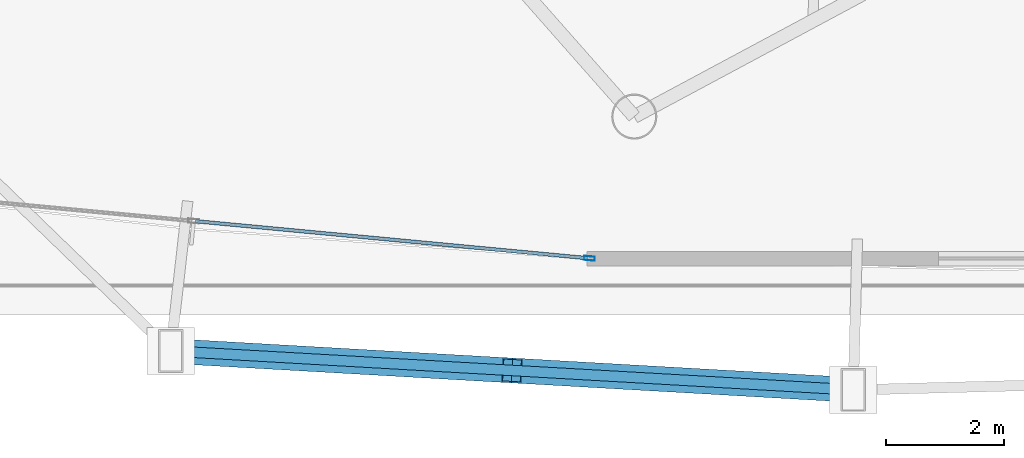
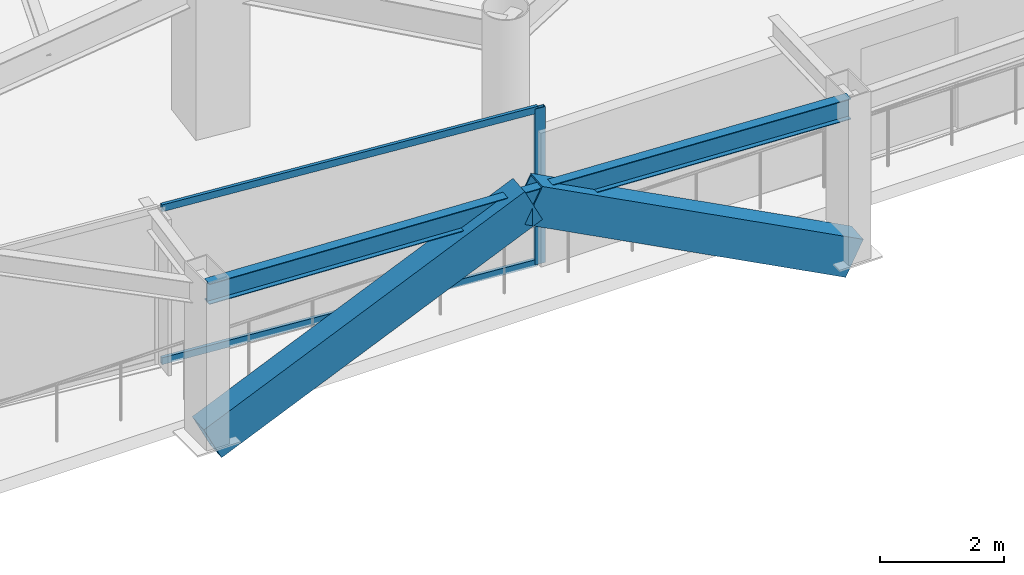
# One storey, part 6 of 36: 5 members, 1 beam, 1 element without a shape of its own.
"""IFC4 building model written with IfcOpenShell, lengths in metres."""

from ifc_helpers import new_model, si_unit, direction, frame, origin, origin_2d, place, context, subcontext, project, spatial, hollow_rectangle, i_section, extrude, material, layer, layer_set, material_profile, profile_set, type_object, element, aggregate, save


model = new_model("IFC4")

# Units and contexts
model_context = context("Model", 3, precision=1e-05, world=origin(), true_north=direction((0.0, 1.0)))
body_context = subcontext(model_context, "Body", "Model", "MODEL_VIEW")
ifc_project = project(units=[si_unit("LENGTHUNIT", "METRE"), si_unit("AREAUNIT", "SQUARE_METRE"), si_unit("VOLUMEUNIT", "CUBIC_METRE"), si_unit("PLANEANGLEUNIT", "RADIAN"), si_unit("MASSUNIT", "GRAM", prefix="KILO")], contexts=[model_context])

# Site, building, storey
site_placement = place(None, origin())
site = spatial("IfcSite", under=ifc_project, at=site_placement, CompositionType="ELEMENT")
building_placement = place(site_placement, origin())
building = spatial("IfcBuilding", under=site, at=building_placement, Name="Orvanel Arch Residences", CompositionType="ELEMENT")
storey_placement = place(building_placement, frame((0.0, 0.0, 23.60009765625)))
storey = spatial("IfcBuildingStorey", under=building, at=storey_placement, Name="L05", CompositionType="ELEMENT", Elevation=23.60009765625)

# Members
ifc_material_1 = material(Name="Structural steel AS/NZS 3678 Grade 350", Category="steel")
ifc_material_profile_1 = material_profile(ifc_material_1, hollow_rectangle(XDim=0.419921875, YDim=0.719970703125, WallThickness=0.02490234375, at=origin_2d()), Name="RHS720x420x25")
ifc_profile_set_1 = profile_set([ifc_material_profile_1], Name="Structural steel AS/NZS 3678 Grade 350")
member_type_1 = type_object("IfcMemberType", Name="BR-720RHS-EXT", PredefinedType="BRACE", material=ifc_profile_set_1)
member_1_placement = place(storey_placement, frame((19.125, -0.35595703125, 0.0), z_axis=(0.894905766054, -0.051068197978, 0.443323481262), x_axis=(0.056972757958, 0.998375733304, 0.0)))
element("IfcMember", 1, at=member_1_placement, inside=storey, type_object=member_type_1, Name="L05 Exterior Sky-Garden V-Frame Chevron F2B1.1", PredefinedType="BRACE", context=body_context, shape_type="SweptSolid", body=[
    extrude(hollow_rectangle(XDim=0.419921875, YDim=0.719970703125, WallThickness=0.02490234375, at=origin_2d()), origin(), (0.0, 0.0, 1.0), 6.4443359375),
])
member_2_placement = place(storey_placement, frame((30.658935546875, -1.013916015625, 0.0), z_axis=(-0.894899952058, 0.051032142391, 0.443339369162), x_axis=(-0.056933032694, -0.998377999451, 0.0)))
element("IfcMember", 2, at=member_2_placement, inside=storey, type_object=member_type_1, Name="L05 Exterior Sky-Garden V-Frame Chevron F2B1.2", PredefinedType="BRACE", context=body_context, shape_type="SweptSolid", body=[
    extrude(hollow_rectangle(XDim=0.419921875, YDim=0.719970703125, WallThickness=0.02490234375, at=origin_2d()), origin(), (0.0, 0.0, 1.0), 6.444091796875),
])

# Curtain wall, member
ifc_material_2 = material(Name="Bronze-anodised aluminium AA6063-T6", Category="aluminium")
ifc_layer = layer(ifc_material_2, 0.179931640625)
ifc_layer_set = layer_set([ifc_layer], Name="Bronze-anodised aluminium AA6063-T6")
curtain_wall_type = type_object("IfcCurtainWallType", Name="CW2-LOW-SYS", PredefinedType="NOTDEFINED", material=ifc_layer_set)
curtain_wall_placement = place(storey_placement, origin())
curtain_wall = element("IfcCurtainWall", 3, at=curtain_wall_placement, inside=storey, type_object=curtain_wall_type, Name="L05 CW2-LOW-SYS Unitised Curtain Wall", PredefinedType="NOTDEFINED")
ifc_material_profile_2 = material_profile(ifc_material_2, hollow_rectangle(XDim=0.070068359375, YDim=0.179931640625, WallThickness=0.00439453125, at=origin_2d()), Name="ALU180x70x4.5")
ifc_profile_set_2 = profile_set([ifc_material_profile_2], Name="Bronze-anodised aluminium AA6063-T6")
member_type_2 = type_object("IfcMemberType", Name="MUL-180x70", PredefinedType="MULLION", material=ifc_profile_set_2)
member_3_placement = place(storey_placement, frame((26.201171875, 1.209228515625, 0.0), z_axis=(0.0, 0.0, 1.0), x_axis=(0.093865833683, 0.995584855885, 0.0)))
member_3 = element("IfcMember", 4, at=member_3_placement, type_object=member_type_2, Name="CW-S2 mullion 3", PredefinedType="MULLION", context=body_context, shape_type="SweptSolid", body=[
    extrude(hollow_rectangle(XDim=0.070068359375, YDim=0.179931640625, WallThickness=0.00439453125, at=origin_2d()), origin(), (0.0, 0.0, 1.0), 3.059814453125),
])

# Beam
ifc_material_3 = material(Name="Structural steel AS/NZS 3679.1 Grade 300 (300 MPa)", Category="steel")
ifc_material_profile_3 = material_profile(ifc_material_3, i_section(OverallWidth=0.177978515625, OverallDepth=0.406005859375, WebThickness=0.0078125, FlangeThickness=0.0126953125, at=origin_2d()), Name="410UB59.7")
ifc_profile_set_3 = profile_set([ifc_material_profile_3], Name="Structural steel AS/NZS 3679.1 Grade 300 (300 MPa)")
beam_type = type_object("IfcBeamType", Name="OB-410UB-EXT", PredefinedType="SPANDREL", material=ifc_profile_set_3)
beam_placement = place(storey_placement, frame((19.125, -0.35595703125, 2.85693359375), z_axis=(0.99837686655, -0.05695289578, 0.0), x_axis=(0.05695289578, 0.99837686655, 0.0)))
element("IfcBeam", 5, at=beam_placement, inside=storey, type_object=beam_type, Name="L05 Outer Perimeter Floor Ring Beam 05", PredefinedType="SPANDREL", context=body_context, shape_type="SweptSolid", body=[
    extrude(i_section(OverallWidth=0.177978515625, OverallDepth=0.406005859375, WebThickness=0.0078125, FlangeThickness=0.0126953125, at=origin_2d()), origin(), (0.0, 0.0, 1.0), 11.552734375),
])

# Member
ifc_material_profile_4 = material_profile(ifc_material_2, hollow_rectangle(XDim=0.06005859375, YDim=0.135009765625, WallThickness=0.00390625, at=origin_2d()), Name="ALU135x60x4")
ifc_profile_set_4 = profile_set([ifc_material_profile_4], Name="Bronze-anodised aluminium AA6063-T6")
member_type_3 = type_object("IfcMemberType", Name="TRN-135x60", PredefinedType="USERDEFINED", material=ifc_profile_set_4)
member_4_placement = place(storey_placement, frame((19.54638671875, 1.836669921875, 0.02978515625), z_axis=(0.99558643144, -0.093849121105, 0.0), x_axis=(0.093849121105, 0.99558643144, 0.0)))
member_4 = element("IfcMember", 6, at=member_4_placement, type_object=member_type_3, Name="CW-S2 transom 2.1", ObjectType="TRANSOM", PredefinedType="USERDEFINED", context=body_context, shape_type="SweptSolid", body=[
    extrude(hollow_rectangle(XDim=0.06005859375, YDim=0.135009765625, WallThickness=0.00390625, at=origin_2d()), origin(), (0.0, 0.0, 1.0), 6.649169921875),
])

member_5_placement = place(storey_placement, frame((19.54638671875, 1.836669921875, 3.02978515625), z_axis=(0.99558643144, -0.093849121105, 0.0), x_axis=(0.093849121105, 0.99558643144, 0.0)))
member_5 = element("IfcMember", 7, at=member_5_placement, type_object=member_type_3, Name="CW-S2 transom 2.2", ObjectType="TRANSOM", PredefinedType="USERDEFINED", context=body_context, shape_type="SweptSolid", body=[
    extrude(hollow_rectangle(XDim=0.06005859375, YDim=0.135009765625, WallThickness=0.00390625, at=origin_2d()), origin(), (0.0, 0.0, 1.0), 6.649169921875),
])

aggregate(curtain_wall, [member_3, member_4, member_5])

save(model, "model.ifc")
